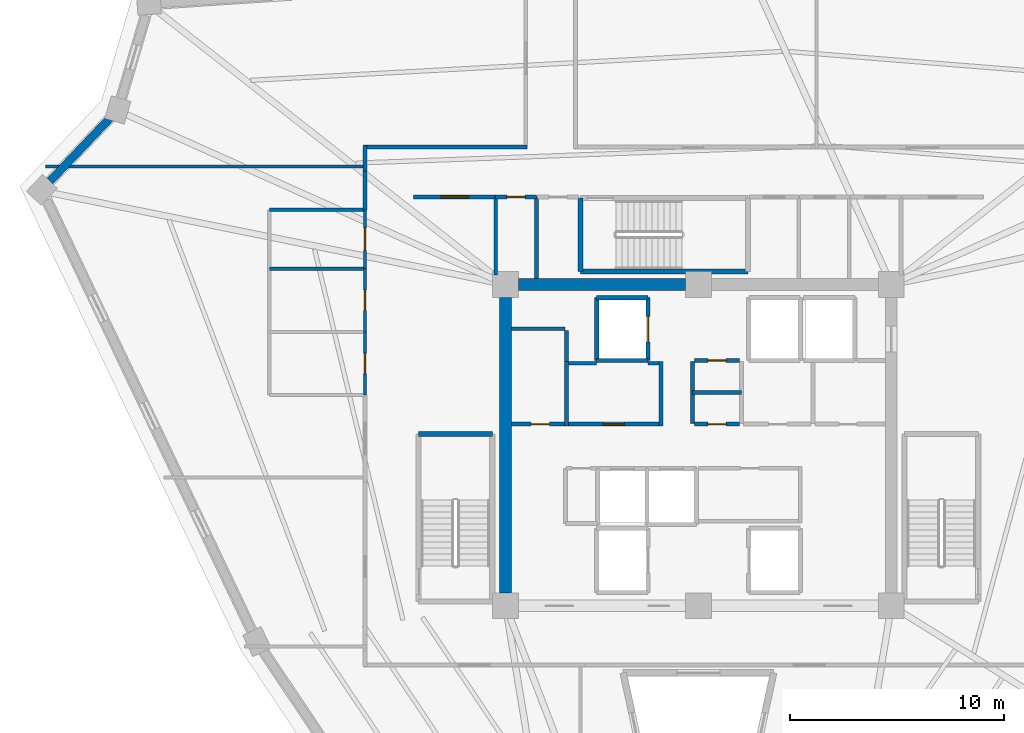
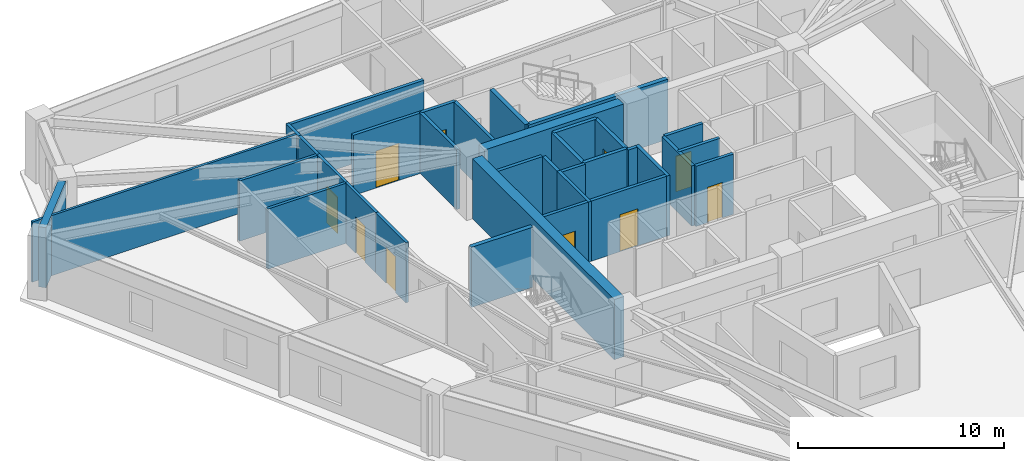
# One storey, part 5 of 8: 35 walls, 10 doors, 10 openings.
"""IFC4 building model written with IfcOpenShell, lengths in metres."""

from ifc_helpers import new_model, si_unit, direction, frame, frame_2d, origin, place, context, subcontext, project, spatial, rectangle, extrude, source, transform, mapped, material, layer, layer_set, type_object, element, fill, save


model = new_model("IFC4")

# Units and contexts
model_context = context("Model", 3, precision=1e-05, world=origin(), true_north=direction((0.0, 1.0)))
body_context = subcontext(model_context, "Body", "Model", "MODEL_VIEW")
ifc_project = project(units=[si_unit("LENGTHUNIT", "METRE"), si_unit("AREAUNIT", "SQUARE_METRE"), si_unit("VOLUMEUNIT", "CUBIC_METRE"), si_unit("PLANEANGLEUNIT", "RADIAN"), si_unit("MASSUNIT", "GRAM", prefix="KILO")], contexts=[model_context])

# Site, building, storey
site_placement = place(None, origin())
site = spatial("IfcSite", under=ifc_project, at=site_placement, CompositionType="ELEMENT")
building_placement = place(site_placement, origin())
building = spatial("IfcBuilding", under=site, at=building_placement, Name="Liaohun Quay Tower", CompositionType="ELEMENT")
storey_placement = place(building_placement, frame((0.0, 0.0, 294.0)))
storey = spatial("IfcBuildingStorey", under=building, at=storey_placement, Name="L76", CompositionType="ELEMENT", Elevation=294.0)

# Walls
ifc_material_1 = material(Name="Concrete C50", Category="concrete")
ifc_layer_1 = layer(ifc_material_1, 0.550048828125, Name="Concrete C50", Category="concrete")
ifc_layer_set_1 = layer_set([ifc_layer_1], Name="Concrete C50")
wall_type_1 = type_object("IfcWallType", Name="WAL-COR-Z4", PredefinedType="SHEAR", material=ifc_layer_set_1)
wall_1_placement = place(storey_placement, frame((51.60009765625, 61.5, 0.0), z_axis=(0.0, 0.0, 1.0), x_axis=(1.0, 0.0, 0.0)))
element("IfcWall", 1, at=wall_1_placement, inside=storey, type_object=wall_type_1, Name="L76 Central Core Shear Wall N-W", PredefinedType="SHEAR", context=body_context, shape_type="SweptSolid", body=[
    extrude(rectangle(XDim=7.7998046875, YDim=0.550048828125, at=frame_2d((3.89990234375, 0.0))), origin(), (0.0, 0.0, 1.0), 3.570068359375),
])
wall_2_placement = place(storey_placement, frame((51.0, 47.10009765625, 0.0), z_axis=(0.0, 0.0, 1.0), x_axis=(0.0, 1.0, 0.0)))
element("IfcWall", 2, at=wall_2_placement, inside=storey, type_object=wall_type_1, Name="L76 Central Core Shear Wall W", PredefinedType="SHEAR", context=body_context, shape_type="SweptSolid", body=[
    extrude(rectangle(XDim=13.7998046875, YDim=0.550048828125, at=frame_2d((6.89990234375, 0.0))), origin(), (0.0, 0.0, 1.0), 3.570068359375),
])
ifc_material_2 = material(Name="Precast concrete C50 insulated sandwich", Category="concrete")
ifc_layer_2 = layer(ifc_material_2, 0.3798828125, Name="Precast concrete C50 insulated sandwich", Category="concrete")
ifc_layer_set_2 = layer_set([ifc_layer_2], Name="Precast concrete C50 insulated sandwich")
wall_type_2 = type_object("IfcWallType", Name="WAL-EXT-Z34", PredefinedType="SOLIDWALL", material=ifc_layer_set_2)
wall_3_placement = place(storey_placement, frame((32.531982421875, 69.2529296875, 0.0), z_axis=(0.0, 0.0, 1.0), x_axis=(-0.689320656659, -0.724456370186, 0.0)))
element("IfcWall", 3, at=wall_3_placement, inside=storey, type_object=wall_type_2, Name="L76 Brutalist Precast Pier Wall 09", PredefinedType="SOLIDWALL", context=body_context, shape_type="SweptSolid", body=[
    extrude(rectangle(XDim=4.06494140625, YDim=0.3798828125, at=frame_2d((2.032470703125, 0.0))), origin(), (0.0, 0.0, 1.0), 3.570068359375),
])

# Wall, opening, door
ifc_material_3 = material(Name="Autoclaved aerated concrete blockwork", Category="masonry")
ifc_layer_3 = layer(ifc_material_3, 0.179931640625, Name="Autoclaved aerated concrete blockwork", Category="masonry")
ifc_layer_set_3 = layer_set([ifc_layer_3], Name="Autoclaved aerated concrete blockwork")
wall_type_3 = type_object("IfcWallType", Name="WAL-PRT-COR", PredefinedType="PARTITIONING", material=ifc_layer_set_3)
wall_4_placement = place(storey_placement, frame((53.93994140625, 54.97998046875, 0.0), z_axis=(0.0, 0.0, 1.0), x_axis=(1.0, 0.0, 0.0)))
wall_4 = element("IfcWall", 4, at=wall_4_placement, inside=storey, type_object=wall_type_3, Name="L76 Interior Partition Wall 002", PredefinedType="PARTITIONING", context=body_context, shape_type="SweptSolid", body=[
    extrude(rectangle(XDim=4.219970703125, YDim=0.179931640625, at=frame_2d((2.10986328125, 0.0))), origin(), (0.0, 0.0, 1.0), 3.570068359375),
])
shared_shape_1 = source(origin(), body_context, "Body", "SweptSolid", [
    extrude(rectangle(XDim=1.0, YDim=2.199951171875, at=frame_2d((0.5, 1.10009765625))), frame((0.0, 0.099853515625, 0.0), z_axis=(0.0, -1.0, 0.0), x_axis=(1.0, 0.0, 0.0)), (0.0, 0.0, 1.0), 0.199951171875),
])
opening_1_placement = place(wall_4_placement, frame((1.610107421875, 0.0, 0.0)))
opening_1 = element("IfcOpeningElement", 5, at=opening_1_placement, cuts=wall_4, Name="Opening OD1", PredefinedType="OPENING", context=body_context, shape_type="MappedRepresentation", body=[
    mapped(shared_shape_1, transform((0.0, 0.0, 0.0), x_axis=(1.0, 0.0, 0.0), y_axis=(0.0, 1.0, 0.0), z_axis=(0.0, 0.0, 1.0), scale=1.0)),
])
ifc_material_4 = material(Name="Solid-core oak veneer timber leaf in steel frame", Category="steel")
door_type_1 = type_object("IfcDoorType", Name="DOR-OFF-1000", OperationType="NOTDEFINED", PredefinedType="DOOR", material=ifc_material_4)
shared_shape_2 = source(origin(), body_context, "Body", "SweptSolid", [
    extrude(rectangle(XDim=1.0, YDim=2.199951171875, at=frame_2d((0.5, 1.10009765625))), frame((0.0, 0.02490234375, 0.0), z_axis=(0.0, -1.0, 0.0), x_axis=(1.0, 0.0, 0.0)), (0.0, 0.0, 1.0), 0.050048828125),
])
door_1_placement = place(opening_1_placement, origin())
door_1 = element("IfcDoor", 6, at=door_1_placement, inside=storey, type_object=door_type_1, Name="L76 Core Staff Pantry and Tea Room Door", OperationType="SINGLE_SWING_RIGHT", OverallHeight=2.199951171875, OverallWidth=1.0, PredefinedType="DOOR", context=body_context, shape_type="MappedRepresentation", body=[
    mapped(shared_shape_2, transform((0.0, 0.0, 0.0), x_axis=(1.0, 0.0, 0.0), y_axis=(0.0, 1.0, 0.0), z_axis=(0.0, 0.0, 1.0), scale=1.0)),
])
fill(opening_1, door_1)

wall_5_placement = place(storey_placement, frame((51.27490234375, 54.97998046875, 0.0), z_axis=(0.0, 0.0, 1.0), x_axis=(1.0, 0.0, 0.0)))
wall_5 = element("IfcWall", 7, at=wall_5_placement, inside=storey, type_object=wall_type_3, Name="L76 Interior Partition Wall 003", PredefinedType="PARTITIONING", context=body_context, shape_type="SweptSolid", body=[
    extrude(rectangle(XDim=2.485107421875, YDim=0.179931640625, at=frame_2d((1.24267578125, 0.0))), origin(), (0.0, 0.0, 1.0), 3.570068359375),
])
shared_shape_3 = source(origin(), body_context, "Body", "SweptSolid", [
    extrude(rectangle(XDim=0.85009765625, YDim=2.10009765625, at=frame_2d((0.425048828125, 1.050048828125))), frame((0.0, 0.099853515625, 0.0), z_axis=(0.0, -1.0, 0.0), x_axis=(1.0, 0.0, 0.0)), (0.0, 0.0, 1.0), 0.199951171875),
])
opening_2_placement = place(wall_5_placement, frame((0.9150390625, 0.0, 0.0)))
opening_2 = element("IfcOpeningElement", 8, at=opening_2_placement, cuts=wall_5, Name="Opening AD1", PredefinedType="OPENING", context=body_context, shape_type="MappedRepresentation", body=[
    mapped(shared_shape_3, transform((0.0, 0.0, 0.0), x_axis=(1.0, 0.0, 0.0), y_axis=(0.0, 1.0, 0.0), z_axis=(0.0, 0.0, 1.0), scale=1.0)),
])
ifc_material_5 = material(Name="Steel riser inspection fire door", Category="steel")
door_type_2 = type_object("IfcDoorType", Name="DOR-SHF-850", OperationType="NOTDEFINED", PredefinedType="DOOR", material=ifc_material_5)
shared_shape_4 = source(origin(), body_context, "Body", "SweptSolid", [
    extrude(rectangle(XDim=0.85009765625, YDim=2.10009765625, at=frame_2d((0.425048828125, 1.050048828125))), frame((0.0, 0.02490234375, 0.0), z_axis=(0.0, -1.0, 0.0), x_axis=(1.0, 0.0, 0.0)), (0.0, 0.0, 1.0), 0.050048828125),
])
door_2_placement = place(opening_2_placement, origin())
door_2 = element("IfcDoor", 9, at=door_2_placement, inside=storey, type_object=door_type_2, Name="L76 Core High-Zone Archive and Riser Store Door", OperationType="SINGLE_SWING_LEFT", OverallHeight=2.10009765625, OverallWidth=0.85009765625, PredefinedType="DOOR", context=body_context, shape_type="MappedRepresentation", body=[
    mapped(shared_shape_4, transform((0.0, 0.0, 0.0), x_axis=(1.0, 0.0, 0.0), y_axis=(0.0, 1.0, 0.0), z_axis=(0.0, 0.0, 1.0), scale=1.0)),
])
fill(opening_2, door_2)

wall_6_placement = place(storey_placement, frame((59.81005859375, 54.97998046875, 0.0), z_axis=(0.0, 0.0, 1.0), x_axis=(1.0, 0.0, 0.0)))
wall_6 = element("IfcWall", 10, at=wall_6_placement, inside=storey, type_object=wall_type_3, Name="L76 Interior Partition Wall 006", PredefinedType="PARTITIONING", context=body_context, shape_type="SweptSolid", body=[
    extrude(rectangle(XDim=2.10986328125, YDim=0.179931640625, at=frame_2d((1.054931640625, 0.0))), origin(), (0.0, 0.0, 1.0), 3.570068359375),
])
opening_3_placement = place(wall_6_placement, frame((0.635009765625, 0.0, 0.0)))
opening_3 = element("IfcOpeningElement", 11, at=opening_3_placement, cuts=wall_6, Name="Opening AD1", PredefinedType="OPENING", context=body_context, shape_type="MappedRepresentation", body=[
    mapped(shared_shape_3, transform((0.0, 0.0, 0.0), x_axis=(1.0, 0.0, 0.0), y_axis=(0.0, 1.0, 0.0), z_axis=(0.0, 0.0, 1.0), scale=1.0)),
])
door_3_placement = place(opening_3_placement, origin())
door_3 = element("IfcDoor", 12, at=door_3_placement, inside=storey, type_object=door_type_2, Name="L76 Electrical Riser Room Door", OperationType="SINGLE_SWING_RIGHT", OverallHeight=2.10009765625, OverallWidth=0.85009765625, PredefinedType="DOOR", context=body_context, shape_type="MappedRepresentation", body=[
    mapped(shared_shape_4, transform((0.0, 0.0, 0.0), x_axis=(1.0, 0.0, 0.0), y_axis=(0.0, 1.0, 0.0), z_axis=(0.0, 0.0, 1.0), scale=1.0)),
])
fill(opening_3, door_3)

wall_7_placement = place(storey_placement, frame((59.81005859375, 57.949951171875, 0.0), z_axis=(0.0, 0.0, 1.0), x_axis=(1.0, 0.0, 0.0)))
wall_7 = element("IfcWall", 13, at=wall_7_placement, inside=storey, type_object=wall_type_3, Name="L76 Interior Partition Wall 007", PredefinedType="PARTITIONING", context=body_context, shape_type="SweptSolid", body=[
    extrude(rectangle(XDim=2.10986328125, YDim=0.179931640625, at=frame_2d((1.054931640625, 0.0))), origin(), (0.0, 0.0, 1.0), 3.570068359375),
])
opening_4_placement = place(wall_7_placement, frame((0.635009765625, 0.0, 0.0)))
opening_4 = element("IfcOpeningElement", 14, at=opening_4_placement, cuts=wall_7, Name="Opening AD1", PredefinedType="OPENING", context=body_context, shape_type="MappedRepresentation", body=[
    mapped(shared_shape_3, transform((0.0, 0.0, 0.0), x_axis=(1.0, 0.0, 0.0), y_axis=(0.0, 1.0, 0.0), z_axis=(0.0, 0.0, 1.0), scale=1.0)),
])
door_4_placement = place(opening_4_placement, origin())
door_4 = element("IfcDoor", 15, at=door_4_placement, inside=storey, type_object=door_type_2, Name="L76 Telecom Comms Closet Door", OperationType="SINGLE_SWING_LEFT", OverallHeight=2.10009765625, OverallWidth=0.85009765625, PredefinedType="DOOR", context=body_context, shape_type="MappedRepresentation", body=[
    mapped(shared_shape_4, transform((0.0, 0.0, 0.0), x_axis=(1.0, 0.0, 0.0), y_axis=(0.0, 1.0, 0.0), z_axis=(0.0, 0.0, 1.0), scale=1.0)),
])
fill(opening_4, door_4)

wall_8_placement = place(storey_placement, frame((50.5400390625, 65.580078125, 0.0), z_axis=(0.0, 0.0, 1.0), x_axis=(1.0, 0.0, 0.0)))
wall_8 = element("IfcWall", 16, at=wall_8_placement, inside=storey, type_object=wall_type_3, Name="L76 Interior Partition Wall 012", PredefinedType="PARTITIONING", context=body_context, shape_type="SweptSolid", body=[
    extrude(rectangle(XDim=1.89990234375, YDim=0.179931640625, at=frame_2d((0.949951171875, 0.0))), origin(), (0.0, 0.0, 1.0), 3.570068359375),
])
opening_5_placement = place(wall_8_placement, frame((0.52490234375, 0.0, 0.0)))
opening_5 = element("IfcOpeningElement", 17, at=opening_5_placement, cuts=wall_8, Name="Opening AD1", PredefinedType="OPENING", context=body_context, shape_type="MappedRepresentation", body=[
    mapped(shared_shape_3, transform((0.0, 0.0, 0.0), x_axis=(1.0, 0.0, 0.0), y_axis=(0.0, 1.0, 0.0), z_axis=(0.0, 0.0, 1.0), scale=1.0)),
])
door_5_placement = place(opening_5_placement, origin())
door_5 = element("IfcDoor", 18, at=door_5_placement, inside=storey, type_object=door_type_2, Name="L76 North-West Riser Closet Door", OperationType="SINGLE_SWING_RIGHT", OverallHeight=2.10009765625, OverallWidth=0.85009765625, PredefinedType="DOOR", context=body_context, shape_type="MappedRepresentation", body=[
    mapped(shared_shape_4, transform((0.0, 0.0, 0.0), x_axis=(1.0, 0.0, 0.0), y_axis=(0.0, 1.0, 0.0), z_axis=(0.0, 0.0, 1.0), scale=1.0)),
])
fill(opening_5, door_5)

wall_9_placement = place(storey_placement, frame((46.699951171875, 65.580078125, 0.0), z_axis=(0.0, 0.0, 1.0), x_axis=(1.0, 0.0, 0.0)))
wall_9 = element("IfcWall", 19, at=wall_9_placement, inside=storey, type_object=wall_type_3, Name="L76 Interior Partition Wall 017", PredefinedType="PARTITIONING", context=body_context, shape_type="SweptSolid", body=[
    extrude(rectangle(XDim=3.840087890625, YDim=0.179931640625, at=frame_2d((1.919921875, 0.0))), origin(), (0.0, 0.0, 1.0), 3.570068359375),
])
shared_shape_5 = source(origin(), body_context, "Body", "SweptSolid", [
    extrude(rectangle(XDim=1.300048828125, YDim=2.199951171875, at=frame_2d((0.64990234375, 1.10009765625))), frame((0.0, 0.099853515625, 0.0), z_axis=(0.0, -1.0, 0.0), x_axis=(1.0, 0.0, 0.0)), (0.0, 0.0, 1.0), 0.199951171875),
])
opening_6_placement = place(wall_9_placement, frame((1.27001953125, 0.0, 0.0)))
opening_6 = element("IfcOpeningElement", 20, at=opening_6_placement, cuts=wall_9, Name="Opening FD1", PredefinedType="OPENING", context=body_context, shape_type="MappedRepresentation", body=[
    mapped(shared_shape_5, transform((0.0, 0.0, 0.0), x_axis=(1.0, 0.0, 0.0), y_axis=(0.0, 1.0, 0.0), z_axis=(0.0, 0.0, 1.0), scale=1.0)),
])
ifc_material_6 = material(Name="Galvanised steel smokeproof fire door", Category="steel")
door_type_3 = type_object("IfcDoorType", Name="DOR-FFL-1300", OperationType="NOTDEFINED", PredefinedType="DOOR", material=ifc_material_6)
shared_shape_6 = source(origin(), body_context, "Body", "SweptSolid", [
    extrude(rectangle(XDim=1.300048828125, YDim=2.199951171875, at=frame_2d((0.64990234375, 1.10009765625))), frame((0.0, 0.02490234375, 0.0), z_axis=(0.0, -1.0, 0.0), x_axis=(1.0, 0.0, 0.0)), (0.0, 0.0, 1.0), 0.050048828125),
])
door_6_placement = place(opening_6_placement, origin())
door_6 = element("IfcDoor", 21, at=door_6_placement, inside=storey, type_object=door_type_3, Name="L76 West Core Vestibule Door", OperationType="SINGLE_SWING_LEFT", OverallHeight=2.199951171875, OverallWidth=1.300048828125, PredefinedType="DOOR", context=body_context, shape_type="MappedRepresentation", body=[
    mapped(shared_shape_6, transform((0.0, 0.0, 0.0), x_axis=(1.0, 0.0, 0.0), y_axis=(0.0, 1.0, 0.0), z_axis=(0.0, 0.0, 1.0), scale=1.0)),
])
fill(opening_6, door_6)

# Walls
wall_10_placement = place(storey_placement, frame((51.27490234375, 59.429931640625, 0.0), z_axis=(0.0, 0.0, 1.0), x_axis=(1.0, 0.0, 0.0)))
element("IfcWall", 22, at=wall_10_placement, inside=storey, type_object=wall_type_3, Name="L76 Interior Partition Wall 029", PredefinedType="PARTITIONING", context=body_context, shape_type="SweptSolid", body=[
    extrude(rectangle(XDim=2.505126953125, YDim=0.179931640625, at=frame_2d((1.25244140625, 0.0))), origin(), (0.0, 0.0, 1.0), 3.570068359375),
])
wall_11_placement = place(storey_placement, frame((59.719970703125, 55.02001953125, 0.0), z_axis=(0.0, 0.0, 1.0), x_axis=(0.0, 1.0, 0.0)))
element("IfcWall", 23, at=wall_11_placement, inside=storey, type_object=wall_type_3, Name="L76 Interior Partition Wall 031", PredefinedType="PARTITIONING", context=body_context, shape_type="SweptSolid", body=[
    extrude(rectangle(XDim=2.8798828125, YDim=0.179931640625, at=frame_2d((1.43994140625, 0.0))), origin(), (0.0, 0.0, 1.0), 3.570068359375),
])
wall_12_placement = place(storey_placement, frame((59.719970703125, 56.4599609375, 0.0), z_axis=(0.0, 0.0, 1.0), x_axis=(1.0, 0.0, 0.0)))
element("IfcWall", 24, at=wall_12_placement, inside=storey, type_object=wall_type_3, Name="L76 Interior Partition Wall 033", PredefinedType="PARTITIONING", context=body_context, shape_type="SweptSolid", body=[
    extrude(rectangle(XDim=2.2900390625, YDim=0.179931640625, at=frame_2d((1.14501953125, 0.0))), origin(), (0.0, 0.0, 1.0), 3.570068359375),
])
wall_13_placement = place(storey_placement, frame((50.5400390625, 61.949951171875, 0.0), z_axis=(0.0, 0.0, 1.0), x_axis=(0.0, 1.0, 0.0)))
element("IfcWall", 25, at=wall_13_placement, inside=storey, type_object=wall_type_3, Name="L76 Interior Partition Wall 041", PredefinedType="PARTITIONING", context=body_context, shape_type="SweptSolid", body=[
    extrude(rectangle(XDim=3.630126953125, YDim=0.179931640625, at=frame_2d((1.81494140625, 0.0))), origin(), (0.0, 0.0, 1.0), 3.570068359375),
])
wall_14_placement = place(storey_placement, frame((52.43994140625, 61.77490234375, 0.0), z_axis=(0.0, 0.0, 1.0), x_axis=(0.0, 1.0, 0.0)))
element("IfcWall", 26, at=wall_14_placement, inside=storey, type_object=wall_type_3, Name="L76 Interior Partition Wall 042", PredefinedType="PARTITIONING", context=body_context, shape_type="SweptSolid", body=[
    extrude(rectangle(XDim=3.80517578125, YDim=0.179931640625, at=frame_2d((1.902587890625, 0.0))), origin(), (0.0, 0.0, 1.0), 3.570068359375),
])
wall_15_placement = place(storey_placement, frame((44.3701171875, 67.909912109375, 0.0), z_axis=(0.0, 0.0, 1.0), x_axis=(1.0, 0.0, 0.0)))
element("IfcWall", 27, at=wall_15_placement, inside=storey, type_object=wall_type_3, Name="L76 Interior Partition Wall 048", PredefinedType="PARTITIONING", context=body_context, shape_type="SweptSolid", body=[
    extrude(rectangle(XDim=7.639892578125, YDim=0.179931640625, at=frame_2d((3.81982421875, 0.0))), origin(), (0.0, 0.0, 1.0), 3.570068359375),
])
wall_16_placement = place(storey_placement, frame((44.43994140625, 66.784912109375, 0.0), z_axis=(0.0, 0.0, 1.0), x_axis=(0.0, 1.0, 0.0)))
element("IfcWall", 28, at=wall_16_placement, inside=storey, type_object=wall_type_3, Name="L76 Interior Partition Wall 049", PredefinedType="PARTITIONING", context=body_context, shape_type="SweptSolid", body=[
    extrude(rectangle(XDim=1.195068359375, YDim=0.179931640625, at=frame_2d((0.59765625, 0.0))), origin(), (0.0, 0.0, 1.0), 3.570068359375),
])
wall_17_placement = place(storey_placement, frame((44.43994140625, 64.97998046875, 0.0), z_axis=(0.0, 0.0, 1.0), x_axis=(0.0, 1.0, 0.0)))
element("IfcWall", 29, at=wall_17_placement, inside=storey, type_object=wall_type_3, Name="L76 Interior Partition Wall 050", PredefinedType="PARTITIONING", context=body_context, shape_type="SweptSolid", body=[
    extrude(rectangle(XDim=1.804931640625, YDim=0.179931640625, at=frame_2d((0.90234375, 0.0))), origin(), (0.0, 0.0, 1.0), 3.570068359375),
])
for number, where, z_axis, x_axis, name in (
    (30, (53.85009765625, 54.889892578125, 0.0), (0.0, 0.0, 1.0), (0.0, 1.0, 0.0), "L76 Interior Partition Wall 065"),
    (31, (58.25, 54.889892578125, 0.0), (0.0, 0.0, 1.0), (0.0, 1.0, 0.0), "L76 Interior Partition Wall 066"),
):
    element("IfcWall", number, at=place(storey_placement, frame(where, z_axis=z_axis, x_axis=x_axis)), inside=storey, type_object=wall_type_3, Name=name, PredefinedType="PARTITIONING", context=body_context, shape_type="SweptSolid", body=[
        extrude(rectangle(XDim=3.02001953125, YDim=0.179931640625, at=frame_2d((1.510009765625, 0.0))), origin(), (0.0, 0.0, 1.0), 3.570068359375),
    ])
wall_18_placement = place(storey_placement, frame((53.93994140625, 57.820068359375, 0.0), z_axis=(0.0, 0.0, 1.0), x_axis=(1.0, 0.0, 0.0)))
element("IfcWall", 32, at=wall_18_placement, inside=storey, type_object=wall_type_3, Name="L76 Interior Partition Wall 067", PredefinedType="PARTITIONING", context=body_context, shape_type="SweptSolid", body=[
    extrude(rectangle(XDim=1.31005859375, YDim=0.179931640625, at=frame_2d((0.655029296875, 0.0))), origin(), (0.0, 0.0, 1.0), 3.570068359375),
])
wall_19_placement = place(storey_placement, frame((57.64990234375, 57.820068359375, 0.0), z_axis=(0.0, 0.0, 1.0), x_axis=(1.0, 0.0, 0.0)))
element("IfcWall", 33, at=wall_19_placement, inside=storey, type_object=wall_type_3, Name="L76 Interior Partition Wall 068", PredefinedType="PARTITIONING", context=body_context, shape_type="SweptSolid", body=[
    extrude(rectangle(XDim=0.510009765625, YDim=0.179931640625, at=frame_2d((0.2548828125, 0.0))), origin(), (0.0, 0.0, 1.0), 3.570068359375),
])
wall_20_placement = place(storey_placement, frame((53.85009765625, 57.909912109375, 0.0), z_axis=(0.0, 0.0, 1.0), x_axis=(0.0, 1.0, 0.0)))
element("IfcWall", 34, at=wall_20_placement, inside=storey, type_object=wall_type_3, Name="L76 Interior Partition Wall 069", PredefinedType="PARTITIONING", context=body_context, shape_type="SweptSolid", body=[
    extrude(rectangle(XDim=1.43017578125, YDim=0.179931640625, at=frame_2d((0.715087890625, 0.0))), origin(), (0.0, 0.0, 1.0), 3.570068359375),
])
ifc_material_7 = material(Name="Gypsum board on twin steel studs", Category="steel")
ifc_layer_4 = layer(ifc_material_7, 0.139892578125, Name="Gypsum board on twin steel studs", Category="steel")
ifc_layer_set_4 = layer_set([ifc_layer_4], Name="Gypsum board on twin steel studs")
wall_type_4 = type_object("IfcWallType", Name="WAL-PRT-OFF", PredefinedType="PARTITIONING", material=ifc_layer_set_4)
wall_21_placement = place(storey_placement, frame((44.5400390625, 67.0, 0.0), z_axis=(0.0, 0.0, 1.0), x_axis=(-1.0, 0.0, 0.0)))
element("IfcWall", 35, at=wall_21_placement, inside=storey, type_object=wall_type_4, Name="L76 Interior Partition Wall 057", PredefinedType="PARTITIONING", context=body_context, shape_type="SweptSolid", body=[
    extrude(rectangle(XDim=15.02099609375, YDim=0.139892578125, at=frame_2d((7.510498046875, 0.0))), origin(), (0.0, 0.0, 1.0), 3.570068359375),
])

# Wall, opening, door
ifc_material_8 = material(Name="Moisture-resistant masonry blockwork", Category="masonry")
ifc_layer_5 = layer(ifc_material_8, 0.159912109375, Name="Moisture-resistant masonry blockwork", Category="masonry")
ifc_layer_set_5 = layer_set([ifc_layer_5], Name="Moisture-resistant masonry blockwork")
wall_type_5 = type_object("IfcWallType", Name="WAL-PRT-WET", PredefinedType="PARTITIONING", material=ifc_layer_set_5)
wall_22_placement = place(storey_placement, frame((44.43994140625, 56.340087890625, 0.0), z_axis=(0.0, 0.0, 1.0), x_axis=(0.0, 1.0, 0.0)))
wall_22 = element("IfcWall", 36, at=wall_22_placement, inside=storey, type_object=wall_type_5, Name="L76 Interior Partition Wall 009", PredefinedType="PARTITIONING", context=body_context, shape_type="SweptSolid", body=[
    extrude(rectangle(XDim=2.93994140625, YDim=0.159912109375, at=frame_2d((1.469970703125, 0.0))), origin(), (0.0, 0.0, 1.0), 3.570068359375),
])
shared_shape_7 = source(origin(), body_context, "Body", "SweptSolid", [
    extrude(rectangle(XDim=0.949951171875, YDim=2.14990234375, at=frame_2d((0.47509765625, 1.074951171875))), frame((0.0, 0.08984375, 0.0), z_axis=(0.0, -1.0, 0.0), x_axis=(1.0, 0.0, 0.0)), (0.0, 0.0, 1.0), 0.179931640625),
])
opening_7_placement = place(wall_22_placement, frame((0.9951171875, 0.0, 0.0)))
opening_7 = element("IfcOpeningElement", 37, at=opening_7_placement, cuts=wall_22, Name="Opening WD1", PredefinedType="OPENING", context=body_context, shape_type="MappedRepresentation", body=[
    mapped(shared_shape_7, transform((0.0, 0.0, 0.0), x_axis=(1.0, 0.0, 0.0), y_axis=(0.0, 1.0, 0.0), z_axis=(0.0, 0.0, 1.0), scale=1.0)),
])
ifc_material_9 = material(Name="Moisture-resistant laminate timber leaf", Category="wood")
door_type_4 = type_object("IfcDoorType", Name="DOR-WC-950", OperationType="NOTDEFINED", PredefinedType="DOOR", material=ifc_material_9)
shared_shape_8 = source(origin(), body_context, "Body", "SweptSolid", [
    extrude(rectangle(XDim=0.949951171875, YDim=2.14990234375, at=frame_2d((0.47509765625, 1.074951171875))), frame((0.0, 0.02490234375, 0.0), z_axis=(0.0, -1.0, 0.0), x_axis=(1.0, 0.0, 0.0)), (0.0, 0.0, 1.0), 0.050048828125),
])
door_7_placement = place(opening_7_placement, origin())
door_7 = element("IfcDoor", 38, at=door_7_placement, inside=storey, type_object=door_type_4, Name="L76 Male Restroom WC Door", OperationType="SINGLE_SWING_LEFT", OverallHeight=2.14990234375, OverallWidth=0.949951171875, PredefinedType="DOOR", context=body_context, shape_type="MappedRepresentation", body=[
    mapped(shared_shape_8, transform((0.0, 0.0, 0.0), x_axis=(1.0, 0.0, 0.0), y_axis=(0.0, 1.0, 0.0), z_axis=(0.0, 0.0, 1.0), scale=1.0)),
])
fill(opening_7, door_7)

wall_23_placement = place(storey_placement, frame((44.43994140625, 59.280029296875, 0.0), z_axis=(0.0, 0.0, 1.0), x_axis=(0.0, 1.0, 0.0)))
wall_23 = element("IfcWall", 39, at=wall_23_placement, inside=storey, type_object=wall_type_5, Name="L76 Interior Partition Wall 010", PredefinedType="PARTITIONING", context=body_context, shape_type="SweptSolid", body=[
    extrude(rectangle(XDim=2.9599609375, YDim=0.159912109375, at=frame_2d((1.47998046875, 0.0))), origin(), (0.0, 0.0, 1.0), 3.570068359375),
])
opening_8_placement = place(wall_23_placement, frame((1.0048828125, 0.0, 0.0)))
opening_8 = element("IfcOpeningElement", 40, at=opening_8_placement, cuts=wall_23, Name="Opening WD1", PredefinedType="OPENING", context=body_context, shape_type="MappedRepresentation", body=[
    mapped(shared_shape_7, transform((0.0, 0.0, 0.0), x_axis=(1.0, 0.0, 0.0), y_axis=(0.0, 1.0, 0.0), z_axis=(0.0, 0.0, 1.0), scale=1.0)),
])
door_8_placement = place(opening_8_placement, origin())
door_8 = element("IfcDoor", 41, at=door_8_placement, inside=storey, type_object=door_type_4, Name="L76 Female Restroom WC Door", OperationType="SINGLE_SWING_RIGHT", OverallHeight=2.14990234375, OverallWidth=0.949951171875, PredefinedType="DOOR", context=body_context, shape_type="MappedRepresentation", body=[
    mapped(shared_shape_8, transform((0.0, 0.0, 0.0), x_axis=(1.0, 0.0, 0.0), y_axis=(0.0, 1.0, 0.0), z_axis=(0.0, 0.0, 1.0), scale=1.0)),
])
fill(opening_8, door_8)

wall_24_placement = place(storey_placement, frame((44.43994140625, 62.239990234375, 0.0), z_axis=(0.0, 0.0, 1.0), x_axis=(0.0, 1.0, 0.0)))
wall_24 = element("IfcWall", 42, at=wall_24_placement, inside=storey, type_object=wall_type_5, Name="L76 Interior Partition Wall 011", PredefinedType="PARTITIONING", context=body_context, shape_type="SweptSolid", body=[
    extrude(rectangle(XDim=2.739990234375, YDim=0.159912109375, at=frame_2d((1.3701171875, 0.0))), origin(), (0.0, 0.0, 1.0), 3.570068359375),
])
shared_shape_9 = source(origin(), body_context, "Body", "SweptSolid", [
    extrude(rectangle(XDim=1.050048828125, YDim=2.14990234375, at=frame_2d((0.52490234375, 1.074951171875))), frame((0.0, 0.08984375, 0.0), z_axis=(0.0, -1.0, 0.0), x_axis=(1.0, 0.0, 0.0)), (0.0, 0.0, 1.0), 0.179931640625),
])
opening_9_placement = place(wall_24_placement, frame((0.844970703125, 0.0, 0.0)))
opening_9 = element("IfcOpeningElement", 43, at=opening_9_placement, cuts=wall_24, Name="Opening WD2", PredefinedType="OPENING", context=body_context, shape_type="MappedRepresentation", body=[
    mapped(shared_shape_9, transform((0.0, 0.0, 0.0), x_axis=(1.0, 0.0, 0.0), y_axis=(0.0, 1.0, 0.0), z_axis=(0.0, 0.0, 1.0), scale=1.0)),
])
ifc_material_10 = material(Name="Accessible outward-swinging laminate door")
door_type_5 = type_object("IfcDoorType", Name="DOR-AWC-1050", OperationType="NOTDEFINED", PredefinedType="DOOR", material=ifc_material_10)
shared_shape_10 = source(origin(), body_context, "Body", "SweptSolid", [
    extrude(rectangle(XDim=1.050048828125, YDim=2.14990234375, at=frame_2d((0.52490234375, 1.074951171875))), frame((0.0, 0.02490234375, 0.0), z_axis=(0.0, -1.0, 0.0), x_axis=(1.0, 0.0, 0.0)), (0.0, 0.0, 1.0), 0.050048828125),
])
door_9_placement = place(opening_9_placement, origin())
door_9 = element("IfcDoor", 44, at=door_9_placement, inside=storey, type_object=door_type_5, Name="L76 Accessible WC Door", OperationType="SINGLE_SWING_LEFT", OverallHeight=2.14990234375, OverallWidth=1.050048828125, PredefinedType="DOOR", context=body_context, shape_type="MappedRepresentation", body=[
    mapped(shared_shape_10, transform((0.0, 0.0, 0.0), x_axis=(1.0, 0.0, 0.0), y_axis=(0.0, 1.0, 0.0), z_axis=(0.0, 0.0, 1.0), scale=1.0)),
])
fill(opening_9, door_9)

# Walls
for number, where, z_axis, x_axis, name in (
    (45, (39.97998046875, 62.239990234375, 0.0), (0.0, 0.0, 1.0), (1.0, 0.0, 0.0), "L76 Interior Partition Wall 039"),
    (46, (39.97998046875, 64.97998046875, 0.0), (0.0, 0.0, 1.0), (1.0, 0.0, 0.0), "L76 Interior Partition Wall 040"),
):
    element("IfcWall", number, at=place(storey_placement, frame(where, z_axis=z_axis, x_axis=x_axis)), inside=storey, type_object=wall_type_5, Name=name, PredefinedType="PARTITIONING", context=body_context, shape_type="SweptSolid", body=[
        extrude(rectangle(XDim=4.4599609375, YDim=0.159912109375, at=frame_2d((2.22998046875, 0.0))), origin(), (0.0, 0.0, 1.0), 3.570068359375),
    ])
ifc_layer_6 = layer(ifc_material_1, 0.239990234375, Name="Concrete C50", Category="concrete")
ifc_layer_set_6 = layer_set([ifc_layer_6], Name="Concrete C50")
wall_type_6 = type_object("IfcWallType", Name="WAL-SHF-200", PredefinedType="SOLIDWALL", material=ifc_layer_set_6)
wall_25_placement = place(storey_placement, frame((50.3798828125, 54.52001953125, 0.0), z_axis=(0.0, 0.0, 1.0), x_axis=(-1.0, 0.0, 0.0)))
element("IfcWall", 47, at=wall_25_placement, inside=storey, type_object=wall_type_6, Name="L76 Stairwell ST-1 Structural Core Wall N", PredefinedType="SOLIDWALL", context=body_context, shape_type="SweptSolid", body=[
    extrude(rectangle(XDim=3.43994140625, YDim=0.239990234375, at=frame_2d((1.719970703125, 0.0))), origin(), (0.0, 0.0, 1.0), 3.570068359375),
])
wall_26_placement = place(storey_placement, frame((54.5, 62.10009765625, 0.0), z_axis=(0.0, 0.0, 1.0), x_axis=(1.0, 0.0, 0.0)))
element("IfcWall", 48, at=wall_26_placement, inside=storey, type_object=wall_type_6, Name="L76 Stairwell ST-3 Structural Core Wall S", PredefinedType="SOLIDWALL", context=body_context, shape_type="SweptSolid", body=[
    extrude(rectangle(XDim=7.820068359375, YDim=0.239990234375, at=frame_2d((3.91015625, 0.0))), origin(), (0.0, 0.0, 1.0), 3.570068359375),
])
wall_27_placement = place(storey_placement, frame((54.5, 65.5400390625, 0.0), z_axis=(0.0, 0.0, 1.0), x_axis=(0.0, -1.0, 0.0)))
element("IfcWall", 49, at=wall_27_placement, inside=storey, type_object=wall_type_6, Name="L76 Stairwell ST-3 Structural Core Wall W", PredefinedType="SOLIDWALL", context=body_context, shape_type="SweptSolid", body=[
    extrude(rectangle(XDim=3.43994140625, YDim=0.239990234375, at=frame_2d((1.719970703125, 0.0))), origin(), (0.0, 0.0, 1.0), 3.570068359375),
])
wall_28_placement = place(storey_placement, frame((55.25, 57.949951171875, 0.0), z_axis=(0.0, 0.0, 1.0), x_axis=(1.0, 0.0, 0.0)))
element("IfcWall", 50, at=wall_28_placement, inside=storey, type_object=wall_type_6, Name="L76 Lift FF-03 Hoistway Wall S", PredefinedType="SOLIDWALL", context=body_context, shape_type="SweptSolid", body=[
    extrude(rectangle(XDim=2.39990234375, YDim=0.199951171875, at=frame_2d((1.199951171875, 0.0))), origin(), (0.0, 0.0, 1.0), 3.570068359375),
])

# Wall, opening, door
wall_29_placement = place(storey_placement, frame((57.64990234375, 57.949951171875, 0.0), z_axis=(0.0, 0.0, 1.0), x_axis=(0.0, 1.0, 0.0)))
wall_29 = element("IfcWall", 51, at=wall_29_placement, inside=storey, type_object=wall_type_6, Name="L76 Lift FF-03 Hoistway Wall E", PredefinedType="SOLIDWALL", context=body_context, shape_type="SweptSolid", body=[
    extrude(rectangle(XDim=2.929931640625, YDim=0.199951171875, at=frame_2d((1.46484375, 0.0))), origin(), (0.0, 0.0, 1.0), 3.570068359375),
])
shared_shape_11 = source(origin(), body_context, "Body", "SweptSolid", [
    extrude(rectangle(XDim=1.199951171875, YDim=2.300048828125, at=frame_2d((0.60009765625, 1.14990234375))), frame((0.0, 0.10986328125, 0.0), z_axis=(0.0, -1.0, 0.0), x_axis=(1.0, 0.0, 0.0)), (0.0, 0.0, 1.0), 0.219970703125),
])
opening_10_placement = place(wall_29_placement, frame((0.864990234375, 0.0, 0.0)))
opening_10 = element("IfcOpeningElement", 52, at=opening_10_placement, cuts=wall_29, Name="Opening LD2", PredefinedType="OPENING", context=body_context, shape_type="MappedRepresentation", body=[
    mapped(shared_shape_11, transform((0.0, 0.0, 0.0), x_axis=(1.0, 0.0, 0.0), y_axis=(0.0, 1.0, 0.0), z_axis=(0.0, 0.0, 1.0), scale=1.0)),
])
ifc_material_11 = material(Name="Brushed stainless steel stretcher landing door", Category="steel")
door_type_6 = type_object("IfcDoorType", Name="DOR-LFT-1200", OperationType="SLIDING_TO_LEFT", PredefinedType="DOOR", material=ifc_material_11)
shared_shape_12 = source(origin(), body_context, "Body", "SweptSolid", [
    extrude(rectangle(XDim=1.199951171875, YDim=2.300048828125, at=frame_2d((0.60009765625, 1.14990234375))), frame((0.0, 0.02490234375, 0.0), z_axis=(0.0, -1.0, 0.0), x_axis=(1.0, 0.0, 0.0)), (0.0, 0.0, 1.0), 0.050048828125),
])
door_10_placement = place(opening_10_placement, origin())
door_10 = element("IfcDoor", 53, at=door_10_placement, inside=storey, type_object=door_type_6, Name="L76 Lift FF-03 Sliding Landing Door", OperationType="SLIDING_TO_LEFT", OverallHeight=2.300048828125, OverallWidth=1.199951171875, PredefinedType="DOOR", context=body_context, shape_type="MappedRepresentation", body=[
    mapped(shared_shape_12, transform((0.0, 0.0, 0.0), x_axis=(1.0, 0.0, 0.0), y_axis=(0.0, 1.0, 0.0), z_axis=(0.0, 0.0, 1.0), scale=1.0)),
])
fill(opening_10, door_10)

# Walls
wall_30_placement = place(storey_placement, frame((57.64990234375, 60.8798828125, 0.0), z_axis=(0.0, 0.0, 1.0), x_axis=(-1.0, 0.0, 0.0)))
element("IfcWall", 54, at=wall_30_placement, inside=storey, type_object=wall_type_6, Name="L76 Lift FF-03 Hoistway Wall N", PredefinedType="SOLIDWALL", context=body_context, shape_type="SweptSolid", body=[
    extrude(rectangle(XDim=2.39990234375, YDim=0.199951171875, at=frame_2d((1.199951171875, 0.0))), origin(), (0.0, 0.0, 1.0), 3.570068359375),
])
wall_31_placement = place(storey_placement, frame((55.25, 60.8798828125, 0.0), z_axis=(0.0, 0.0, 1.0), x_axis=(0.0, -1.0, 0.0)))
element("IfcWall", 55, at=wall_31_placement, inside=storey, type_object=wall_type_6, Name="L76 Lift FF-03 Hoistway Wall W", PredefinedType="SOLIDWALL", context=body_context, shape_type="SweptSolid", body=[
    extrude(rectangle(XDim=2.929931640625, YDim=0.199951171875, at=frame_2d((1.46484375, 0.0))), origin(), (0.0, 0.0, 1.0), 3.570068359375),
])

save(model, "model.ifc")
